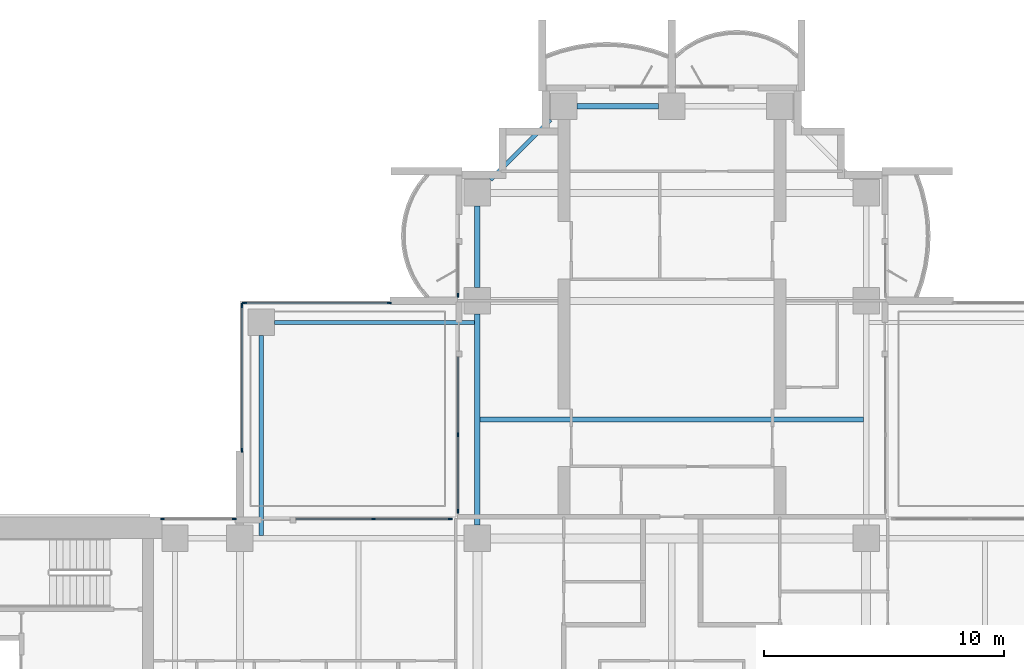
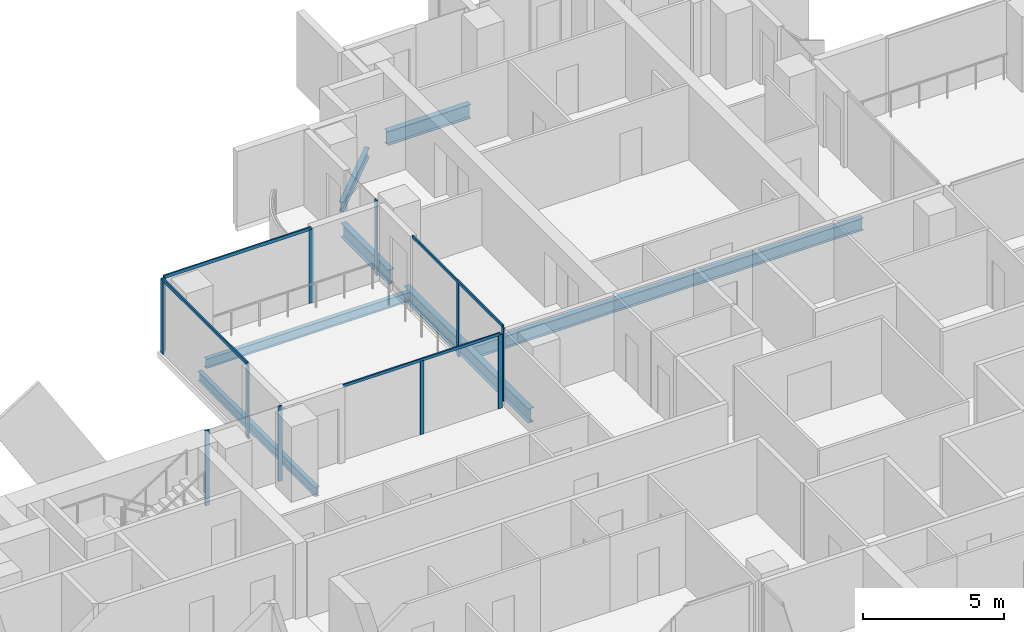
# One storey, part 5 of 19: 15 members, 7 beams, 6 elements without a shape of their own.
"""IFC4 building model written with IfcOpenShell, lengths in metres."""

from ifc_helpers import new_model, si_unit, direction, frame, origin, origin_2d, place, context, subcontext, project, spatial, rectangle, i_section, extrude, material, material_profile, profile_set, type_object, element, aggregate, save


model = new_model("IFC4")

# Units and contexts
model_context = context("Model", 3, precision=1e-05, world=origin(), true_north=direction((0.0, 1.0)))
body_context = subcontext(model_context, "Body", "Model", "MODEL_VIEW")
ifc_project = project(units=[si_unit("LENGTHUNIT", "METRE"), si_unit("AREAUNIT", "SQUARE_METRE"), si_unit("VOLUMEUNIT", "CUBIC_METRE"), si_unit("PLANEANGLEUNIT", "RADIAN"), si_unit("MASSUNIT", "GRAM", prefix="KILO")], contexts=[model_context])

# Site, building, storey
site_placement = place(None, origin())
site = spatial("IfcSite", under=ifc_project, at=site_placement, CompositionType="ELEMENT")
building_placement = place(site_placement, origin())
building = spatial("IfcBuilding", under=site, at=building_placement, Name="Perihelion Cross Residences", CompositionType="ELEMENT")
storey_placement = place(building_placement, frame((0.0, 0.0, 126.89990234375)))
storey = spatial("IfcBuildingStorey", under=building, at=storey_placement, Name="L30", CompositionType="ELEMENT", Elevation=126.89990234375)

# Curtain wall, member
ifc_material_1 = material(Name="Bronze anodised aluminium, tinted glazing", Category="aluminium")
curtain_wall_type_1 = type_object("IfcCurtainWallType", Name="CW1", PredefinedType="NOTDEFINED", material=ifc_material_1)
curtain_wall_1_placement = place(storey_placement, origin())
curtain_wall_1 = element("IfcCurtainWall", 1, at=curtain_wall_1_placement, inside=storey, type_object=curtain_wall_type_1, Name="Curtain wall CW1 L30 north side west bay 1", PredefinedType="NOTDEFINED")
ifc_material_2 = material(Name="Bronze anodised aluminium", Category="aluminium")
ifc_material_profile_1 = material_profile(ifc_material_2, rectangle(XDim=0.06005859375, YDim=0.159912109375, at=origin_2d()), Name="CW1 mullion")
ifc_profile_set_1 = profile_set([ifc_material_profile_1], Name="Bronze anodised aluminium")
member_type_1 = type_object("IfcMemberType", Name="CW1 mullion", PredefinedType="MULLION", material=ifc_profile_set_1)
member_1_placement = place(storey_placement, frame((-8.89990234375, 18.22998046875, 0.0), z_axis=(0.0, 0.0, 1.0), x_axis=(1.0, 0.0, 0.0)))
member_1 = element("IfcMember", 2, at=member_1_placement, type_object=member_type_1, Name="CW1 mullion 2", PredefinedType="MULLION", context=body_context, shape_type="SweptSolid", body=[
    extrude(rectangle(XDim=0.06005859375, YDim=0.159912109375, at=origin_2d()), origin(), (0.0, 0.0, 1.0), 3.25),
])
aggregate(curtain_wall_1, [member_1])

# Curtain wall, members
curtain_wall_2_placement = place(storey_placement, origin())
curtain_wall_2 = element("IfcCurtainWall", 3, at=curtain_wall_2_placement, inside=storey, type_object=curtain_wall_type_1, Name="Curtain wall CW1 L30 north side west bay 2", PredefinedType="NOTDEFINED")
member_2_placement = place(storey_placement, frame((-8.89990234375, 12.425048828125, 0.0), z_axis=(0.0, 0.0, 1.0), x_axis=(1.0, 0.0, 0.0)))
member_2 = element("IfcMember", 4, at=member_2_placement, type_object=member_type_1, Name="CW1 mullion 2", PredefinedType="MULLION", context=body_context, shape_type="SweptSolid", body=[
    extrude(rectangle(XDim=0.06005859375, YDim=0.159912109375, at=origin_2d()), origin(), (0.0, 0.0, 1.0), 3.190185546875),
])
member_3_placement = place(storey_placement, frame((-8.89990234375, 9.22998046875, 0.0), z_axis=(0.0, 0.0, 1.0), x_axis=(1.0, 0.0, 0.0)))
member_3 = element("IfcMember", 5, at=member_3_placement, type_object=member_type_1, Name="CW1 mullion 3", PredefinedType="MULLION", context=body_context, shape_type="SweptSolid", body=[
    extrude(rectangle(XDim=0.06005859375, YDim=0.159912109375, at=origin_2d()), origin(), (0.0, 0.0, 1.0), 3.190185546875),
])

curtain_wall_3_placement = place(storey_placement, origin())
curtain_wall_3 = element("IfcCurtainWall", 6, at=curtain_wall_3_placement, inside=storey, type_object=curtain_wall_type_1, Name="Curtain wall CW1 L30 west side north bay 1", PredefinedType="NOTDEFINED")
member_4_placement = place(storey_placement, frame((-9.22998046875, 8.89990234375, 0.0), z_axis=(0.0, 0.0, 1.0), x_axis=(0.0, -1.0, 0.0)))
member_4 = element("IfcMember", 7, at=member_4_placement, type_object=member_type_1, Name="CW1 mullion 1", PredefinedType="MULLION", context=body_context, shape_type="SweptSolid", body=[
    extrude(rectangle(XDim=0.06005859375, YDim=0.159912109375, at=origin_2d()), origin(), (0.0, 0.0, 1.0), 3.190185546875),
])
member_5_placement = place(storey_placement, frame((-12.425048828125, 8.89990234375, 0.0), z_axis=(0.0, 0.0, 1.0), x_axis=(0.0, -1.0, 0.0)))
member_5 = element("IfcMember", 8, at=member_5_placement, type_object=member_type_1, Name="CW1 mullion 2", PredefinedType="MULLION", context=body_context, shape_type="SweptSolid", body=[
    extrude(rectangle(XDim=0.06005859375, YDim=0.159912109375, at=origin_2d()), origin(), (0.0, 0.0, 1.0), 3.190185546875),
])

curtain_wall_4_placement = place(storey_placement, origin())
curtain_wall_4 = element("IfcCurtainWall", 9, at=curtain_wall_4_placement, inside=storey, type_object=curtain_wall_type_1, Name="Curtain wall CW1 L30 west side north bay 2", PredefinedType="NOTDEFINED")
member_6_placement = place(storey_placement, frame((-18.22998046875, 8.89990234375, 0.0), z_axis=(0.0, 0.0, 1.0), x_axis=(0.0, -1.0, 0.0)))
member_6 = element("IfcMember", 10, at=member_6_placement, type_object=member_type_1, Name="CW1 mullion 1", PredefinedType="MULLION", context=body_context, shape_type="SweptSolid", body=[
    extrude(rectangle(XDim=0.06005859375, YDim=0.159912109375, at=origin_2d()), origin(), (0.0, 0.0, 1.0), 3.25),
])
member_7_placement = place(storey_placement, frame((-21.219970703125, 8.89990234375, 0.0), z_axis=(0.0, 0.0, 1.0), x_axis=(0.0, -1.0, 0.0)))
member_7 = element("IfcMember", 11, at=member_7_placement, type_object=member_type_1, Name="CW1 mullion 2", PredefinedType="MULLION", context=body_context, shape_type="SweptSolid", body=[
    extrude(rectangle(XDim=0.06005859375, YDim=0.159912109375, at=origin_2d()), origin(), (0.0, 0.0, 1.0), 3.25),
])
aggregate(curtain_wall_4, [member_6, member_7])

# Member
ifc_material_3 = material(Name="Bronze anodised aluminium", Category="aluminium")
ifc_material_profile_2 = material_profile(ifc_material_3, rectangle(XDim=0.06005859375, YDim=0.1201171875, at=origin_2d()), Name="CW1 transom")
ifc_profile_set_2 = profile_set([ifc_material_profile_2], Name="Bronze anodised aluminium")
member_type_2 = type_object("IfcMemberType", Name="CW1 transom", PredefinedType="USERDEFINED", material=ifc_profile_set_2)
member_8_placement = place(storey_placement, frame((-8.89990234375, 15.64990234375, 3.22021484375), z_axis=(0.0, -1.0, 0.0), x_axis=(1.0, 0.0, 0.0)))
member_8 = element("IfcMember", 12, at=member_8_placement, type_object=member_type_2, Name="CW1 head transom", ObjectType="TRANSOM", PredefinedType="USERDEFINED", context=body_context, shape_type="SweptSolid", body=[
    extrude(rectangle(XDim=0.06005859375, YDim=0.1201171875, at=origin_2d()), origin(), (0.0, 0.0, 1.0), 6.419921875),
])

aggregate(curtain_wall_2, [member_2, member_3, member_8])

member_9_placement = place(storey_placement, frame((-9.22998046875, 8.89990234375, 3.22021484375), z_axis=(-1.0, 0.0, 0.0), x_axis=(0.0, -1.0, 0.0)))
member_9 = element("IfcMember", 13, at=member_9_placement, type_object=member_type_2, Name="CW1 head transom", ObjectType="TRANSOM", PredefinedType="USERDEFINED", context=body_context, shape_type="SweptSolid", body=[
    extrude(rectangle(XDim=0.06005859375, YDim=0.1201171875, at=origin_2d()), origin(), (0.0, 0.0, 1.0), 6.419921875),
])

aggregate(curtain_wall_3, [member_4, member_5, member_9])

# Curtain wall, members
ifc_material_4 = material(Name="Bronze anodised aluminium, tinted glazing", Category="aluminium")
curtain_wall_type_2 = type_object("IfcCurtainWallType", Name="CW4", PredefinedType="NOTDEFINED", material=ifc_material_4)
curtain_wall_5_placement = place(storey_placement, origin())
curtain_wall_5 = element("IfcCurtainWall", 14, at=curtain_wall_5_placement, inside=storey, type_object=curtain_wall_type_2, Name="Curtain wall CW4 L30 pocket north-west 1 1", PredefinedType="NOTDEFINED")
ifc_material_5 = material(Name="Bronze anodised aluminium", Category="aluminium")
ifc_material_profile_3 = material_profile(ifc_material_5, rectangle(XDim=0.06005859375, YDim=0.179931640625, at=origin_2d()), Name="CW4 mullion")
ifc_profile_set_3 = profile_set([ifc_material_profile_3], Name="Bronze anodised aluminium")
member_type_3 = type_object("IfcMemberType", Name="CW4 mullion", PredefinedType="MULLION", material=ifc_profile_set_3)
member_10_placement = place(storey_placement, frame((-17.89990234375, 11.77001953125, 0.0), z_axis=(0.0, 0.0, 1.0), x_axis=(-1.0, 0.0, 0.0)))
member_10 = element("IfcMember", 15, at=member_10_placement, type_object=member_type_3, Name="CW4 mullion 1", PredefinedType="MULLION", context=body_context, shape_type="SweptSolid", body=[
    extrude(rectangle(XDim=0.06005859375, YDim=0.179931640625, at=origin_2d()), origin(), (0.0, 0.0, 1.0), 3.190185546875),
])
member_11_placement = place(storey_placement, frame((-17.89990234375, 17.800048828125, 0.0), z_axis=(0.0, 0.0, 1.0), x_axis=(-1.0, 0.0, 0.0)))
member_11 = element("IfcMember", 16, at=member_11_placement, type_object=member_type_3, Name="CW4 mullion 2", PredefinedType="MULLION", context=body_context, shape_type="SweptSolid", body=[
    extrude(rectangle(XDim=0.06005859375, YDim=0.179931640625, at=origin_2d()), origin(), (0.0, 0.0, 1.0), 3.190185546875),
])

curtain_wall_6_placement = place(storey_placement, origin())
curtain_wall_6 = element("IfcCurtainWall", 17, at=curtain_wall_6_placement, inside=storey, type_object=curtain_wall_type_2, Name="Curtain wall CW4 L30 pocket north-west 1 2", PredefinedType="NOTDEFINED")
member_12_placement = place(storey_placement, frame((-17.800048828125, 17.89990234375, 0.0), z_axis=(0.0, 0.0, 1.0), x_axis=(0.0, 1.0, 0.0)))
member_12 = element("IfcMember", 18, at=member_12_placement, type_object=member_type_3, Name="CW4 mullion 1", PredefinedType="MULLION", context=body_context, shape_type="SweptSolid", body=[
    extrude(rectangle(XDim=0.06005859375, YDim=0.179931640625, at=origin_2d()), origin(), (0.0, 0.0, 1.0), 3.190185546875),
])
member_13_placement = place(storey_placement, frame((-11.77001953125, 17.89990234375, 0.0), z_axis=(0.0, 0.0, 1.0), x_axis=(0.0, 1.0, 0.0)))
member_13 = element("IfcMember", 19, at=member_13_placement, type_object=member_type_3, Name="CW4 mullion 2", PredefinedType="MULLION", context=body_context, shape_type="SweptSolid", body=[
    extrude(rectangle(XDim=0.06005859375, YDim=0.179931640625, at=origin_2d()), origin(), (0.0, 0.0, 1.0), 3.190185546875),
])

# Member
ifc_material_6 = material(Name="Bronze anodised aluminium", Category="aluminium")
ifc_material_profile_4 = material_profile(ifc_material_6, rectangle(XDim=0.06005859375, YDim=0.139892578125, at=origin_2d()), Name="CW4 transom")
ifc_profile_set_4 = profile_set([ifc_material_profile_4], Name="Bronze anodised aluminium")
member_type_4 = type_object("IfcMemberType", Name="CW4 transom", PredefinedType="USERDEFINED", material=ifc_profile_set_4)
member_14_placement = place(storey_placement, frame((-17.89990234375, 11.77001953125, 3.22021484375), z_axis=(0.0, 1.0, 0.0), x_axis=(-1.0, 0.0, 0.0)))
member_14 = element("IfcMember", 20, at=member_14_placement, type_object=member_type_4, Name="CW4 head transom", ObjectType="TRANSOM", PredefinedType="USERDEFINED", context=body_context, shape_type="SweptSolid", body=[
    extrude(rectangle(XDim=0.06005859375, YDim=0.139892578125, at=origin_2d()), origin(), (0.0, 0.0, 1.0), 6.030029296875),
])

aggregate(curtain_wall_5, [member_10, member_11, member_14])

member_15_placement = place(storey_placement, frame((-17.800048828125, 17.89990234375, 3.22021484375), z_axis=(1.0, 0.0, 0.0), x_axis=(0.0, 1.0, 0.0)))
member_15 = element("IfcMember", 21, at=member_15_placement, type_object=member_type_4, Name="CW4 head transom", ObjectType="TRANSOM", PredefinedType="USERDEFINED", context=body_context, shape_type="SweptSolid", body=[
    extrude(rectangle(XDim=0.06005859375, YDim=0.139892578125, at=origin_2d()), origin(), (0.0, 0.0, 1.0), 6.030029296875),
])

aggregate(curtain_wall_6, [member_12, member_13, member_15])

# Beams
ifc_material_7 = material(Name="Steel S355", Category="steel")
ifc_material_profile_5 = material_profile(ifc_material_7, i_section(OverallWidth=0.177978515625, OverallDepth=0.406005859375, WebThickness=0.0078125, FlangeThickness=0.0126953125, at=origin_2d()), Name="W410x60")
ifc_profile_set_5 = profile_set([ifc_material_profile_5], Name="Steel S355")
beam_type_1 = type_object("IfcBeamType", Name="Core edge beam W410x60", PredefinedType="BEAM", material=ifc_profile_set_5)
for number, where, z_axis, x_axis, name in (
    (22, (-17.10009765625, 8.214599609375, -0.452880859375), (0.0, 1.0, 0.0), (-1.0, 0.0, 0.0), "Core edge beam TB2 L30 corner no. 3"),
    (23, (-8.214599609375, 17.10009765625, -0.452880859375), (-1.0, 0.0, 0.0), (0.0, -1.0, 0.0), "Core edge beam TB2 L30 corner no. 4"),
):
    element("IfcBeam", number, at=place(storey_placement, frame(where, z_axis=z_axis, x_axis=x_axis)), inside=storey, type_object=beam_type_1, Name=name, PredefinedType="BEAM", context=body_context, shape_type="SweptSolid", body=[
        extrude(i_section(OverallWidth=0.177978515625, OverallDepth=0.406005859375, WebThickness=0.0078125, FlangeThickness=0.0126953125, at=origin_2d()), origin(), (0.0, 0.0, 1.0), 8.33544921875),
    ])
ifc_material_8 = material(Name="Steel S355", Category="steel")
ifc_material_profile_6 = material_profile(ifc_material_8, i_section(OverallWidth=0.22900390625, OverallDepth=0.612060546875, WebThickness=0.011962890625, FlangeThickness=0.01953125, at=origin_2d()), Name="W610x125")
ifc_profile_set_6 = profile_set([ifc_material_profile_6], Name="Steel S355")
beam_type_2 = type_object("IfcBeamType", Name="Edge beam W610x125", PredefinedType="SPANDREL", material=ifc_profile_set_6)
for number, where, z_axis, x_axis, name in (
    (24, (-0.550048828125, 26.10009765625, -0.555908203125), (-1.0, 0.0, 0.0), (0.0, -1.0, 0.0), "Edge beam SB3 L30 no. 10"),
    (25, (-8.10009765625, 21.949951171875, -0.555908203125), (0.0, -1.0, 0.0), (1.0, 0.0, 0.0), "Edge beam SB3 L30 no. 7"),
):
    element("IfcBeam", number, at=place(storey_placement, frame(where, z_axis=z_axis, x_axis=x_axis)), inside=storey, type_object=beam_type_2, Name=name, PredefinedType="SPANDREL", context=body_context, shape_type="SweptSolid", body=[
        extrude(i_section(OverallWidth=0.22900390625, OverallDepth=0.612060546875, WebThickness=0.011962890625, FlangeThickness=0.01953125, at=origin_2d()), origin(), (0.0, 0.0, 1.0), 3.39990234375),
    ])
beam_1_placement = place(storey_placement, frame((-8.10009765625, 17.449951171875, -0.555908203125), z_axis=(0.0, -1.0, 0.0), x_axis=(1.0, 0.0, 0.0)))
element("IfcBeam", 26, at=beam_1_placement, inside=storey, type_object=beam_type_2, Name="Edge beam SB3 L30 no. 6", PredefinedType="SPANDREL", context=body_context, shape_type="SweptSolid", body=[
    extrude(i_section(OverallWidth=0.22900390625, OverallDepth=0.612060546875, WebThickness=0.011962890625, FlangeThickness=0.01953125, at=origin_2d()), origin(), (0.0, 0.0, 1.0), 8.800048828125),
])
ifc_material_9 = material(Name="Steel S355", Category="steel")
ifc_material_profile_7 = material_profile(ifc_material_9, i_section(OverallWidth=0.208984375, OverallDepth=0.532958984375, WebThickness=0.01025390625, FlangeThickness=0.015625, at=origin_2d()), Name="W530x92")
ifc_profile_set_7 = profile_set([ifc_material_profile_7], Name="Steel S355")
beam_type_3 = type_object("IfcBeamType", Name="Floor joist W530x92", PredefinedType="JOIST", material=ifc_profile_set_7)
beam_2_placement = place(storey_placement, frame((-7.985595703125, 13.050048828125, -0.516357421875), z_axis=(1.0, 0.0, 0.0), x_axis=(0.0, 1.0, 0.0)))
element("IfcBeam", 27, at=beam_2_placement, inside=storey, type_object=beam_type_3, Name="Joist J4 L30 no. 4", PredefinedType="JOIST", context=body_context, shape_type="SweptSolid", body=[
    extrude(i_section(OverallWidth=0.208984375, OverallDepth=0.532958984375, WebThickness=0.01025390625, FlangeThickness=0.015625, at=origin_2d()), origin(), (0.0, 0.0, 1.0), 15.97119140625),
])
ifc_material_10 = material(Name="Steel S355", Category="steel")
ifc_material_profile_8 = material_profile(ifc_material_10, i_section(OverallWidth=0.180908203125, OverallDepth=0.4169921875, WebThickness=0.010986328125, FlangeThickness=0.018310546875, at=origin_2d()), Name="W410x85")
ifc_profile_set_8 = profile_set([ifc_material_profile_8], Name="Steel S355")
beam_type_4 = type_object("IfcBeamType", Name="Serration edge beam W410x85", PredefinedType="BEAM", material=ifc_profile_set_8)
beam_3_placement = place(storey_placement, frame((-5.050048828125, 25.550048828125, -0.45849609375), z_axis=(-0.707106781187, -0.707106781187, 0.0), x_axis=(0.707106781187, -0.707106781187, 0.0)))
element("IfcBeam", 28, at=beam_3_placement, inside=storey, type_object=beam_type_4, Name="Serration edge beam EB3 L30 no. 1", PredefinedType="BEAM", context=body_context, shape_type="SweptSolid", body=[
    extrude(i_section(OverallWidth=0.180908203125, OverallDepth=0.4169921875, WebThickness=0.010986328125, FlangeThickness=0.018310546875, at=origin_2d()), origin(), (0.0, 0.0, 1.0), 3.53564453125),
])

save(model, "model.ifc")
